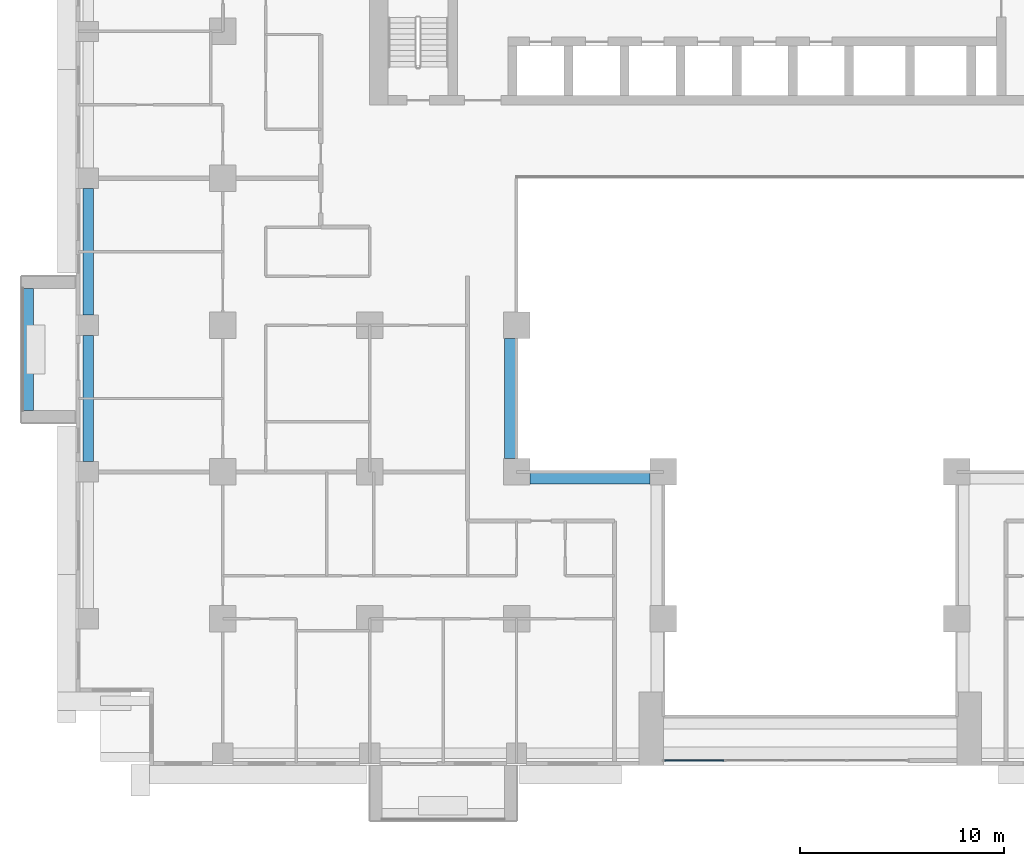
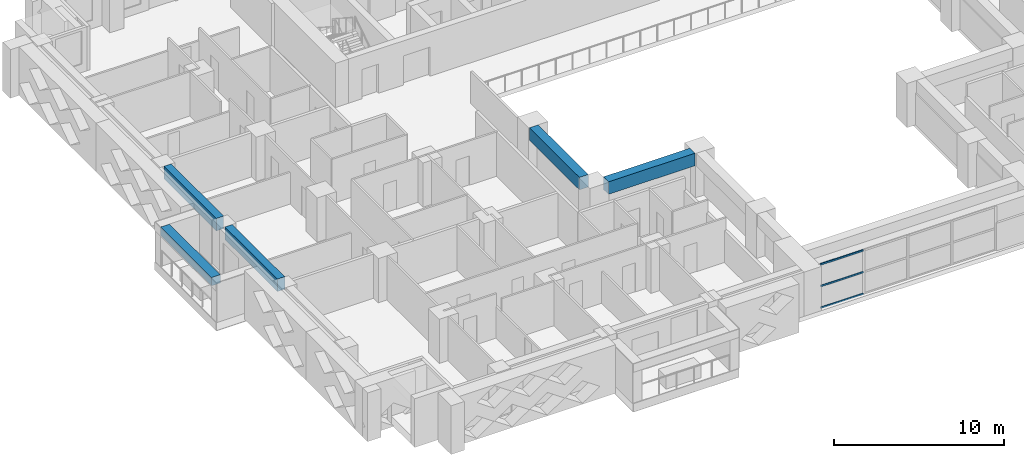
# One storey, part 3 of 16: 5 beams, 3 members, 1 element without a shape of its own.
"""IFC4 building model written with IfcOpenShell, lengths in metres."""

from ifc_helpers import new_model, si_unit, direction, frame, origin, origin_2d, place, context, subcontext, project, spatial, rectangle, extrude, source, transform, mapped, material, layer, layer_set, material_profile, profile_set, type_object, element, aggregate, save


model = new_model("IFC4")

# Units and contexts
model_context = context("Model", 3, precision=1e-05, world=origin(), true_north=direction((0.0, 1.0)))
body_context = subcontext(model_context, "Body", "Model", "MODEL_VIEW")
ifc_project = project(units=[si_unit("LENGTHUNIT", "METRE"), si_unit("AREAUNIT", "SQUARE_METRE"), si_unit("VOLUMEUNIT", "CUBIC_METRE"), si_unit("PLANEANGLEUNIT", "RADIAN"), si_unit("MASSUNIT", "GRAM", prefix="KILO")], contexts=[model_context])

# Site, building, storey
site_placement = place(None, origin())
site = spatial("IfcSite", under=ifc_project, at=site_placement, CompositionType="ELEMENT")
building_placement = place(site_placement, origin())
building = spatial("IfcBuilding", under=site, at=building_placement, Name="Saffron Iwan Residences", CompositionType="ELEMENT")
storey_placement = place(building_placement, frame((0.0, 0.0, 83.0)))
storey = spatial("IfcBuildingStorey", under=building, at=storey_placement, Name="L21", CompositionType="ELEMENT", Elevation=83.0)

# Beams
ifc_material_1 = material(Name="Concrete C60/75", Category="concrete")
ifc_material_profile_1 = material_profile(ifc_material_1, rectangle(XDim=0.5, YDim=0.89990234375, at=origin_2d()), Name="RC 500x900")
ifc_profile_set_1 = profile_set([ifc_material_profile_1], Name="Concrete C60/75")
beam_type_1 = type_object("IfcBeamType", Name="SPANDREL BEAM RC 500x900 C60/75 TOP 3180", PredefinedType="SPANDREL", material=ifc_profile_set_1)
shared_shape_1 = source(origin(), body_context, "Body", "SweptSolid", [
    extrude(rectangle(XDim=0.5, YDim=0.89990234375, at=origin_2d()), origin(), (0.0, 0.0, 1.0), 6.199951171875),
])
for number, where, z_axis, x_axis, name in (
    (1, (15.0, 48.5, 2.72998046875), (0.0, 1.0, 0.0), (-1.0, 0.0, 0.0), "Spandrel beam"),
    (2, (15.0, 55.699951171875, 2.72998046875), (0.0, 1.0, 0.0), (-1.0, 0.0, 0.0), "Spandrel beam"),
):
    element("IfcBeam", number, at=place(storey_placement, frame(where, z_axis=z_axis, x_axis=x_axis)), inside=storey, type_object=beam_type_1, Name=name, PredefinedType="SPANDREL", context=body_context, shape_type="MappedRepresentation", body=[
        mapped(shared_shape_1, transform((0.0, 0.0, 0.0))),
    ])
ifc_material_profile_2 = material_profile(ifc_material_1, rectangle(XDim=0.60009765625, YDim=0.89990234375, at=origin_2d()), Name="RC 600x900")
ifc_profile_set_2 = profile_set([ifc_material_profile_2], Name="Concrete C60/75")
beam_type_2 = type_object("IfcBeamType", Name="BEAM RC 600x900 C60/75 TOP 3180", PredefinedType="BEAM", material=ifc_profile_set_2)
shared_shape_2 = source(origin(), body_context, "Body", "SweptSolid", [
    extrude(rectangle(XDim=0.60009765625, YDim=0.89990234375, at=origin_2d()), origin(), (0.0, 0.0, 1.0), 5.900146484375),
])
for number, where, z_axis, x_axis, name in (
    (3, (42.550048828125, 47.699951171875, 2.72998046875), (-1.0, 0.0, 0.0), (0.0, -1.0, 0.0), "Atrium edge beam"),
    (4, (35.699951171875, 48.64990234375, 2.72998046875), (0.0, 1.0, 0.0), (-1.0, 0.0, 0.0), "Atrium edge beam"),
):
    element("IfcBeam", number, at=place(storey_placement, frame(where, z_axis=z_axis, x_axis=x_axis)), inside=storey, type_object=beam_type_2, Name=name, PredefinedType="BEAM", context=body_context, shape_type="MappedRepresentation", body=[
        mapped(shared_shape_2, transform((0.0, 0.0, 0.0))),
    ])

# Curtain wall, members
ifc_material_2 = material(Name="Clear glass, laminated double glazed", Category="glass")
ifc_layer = layer(ifc_material_2, 0.199951171875)
ifc_layer_set = layer_set([ifc_layer], Name="Clear glass, laminated double glazed")
curtain_wall_type = type_object("IfcCurtainWallType", Name="CW-B IWAN PORTAL", PredefinedType="NOTDEFINED", material=ifc_layer_set)
curtain_wall_placement = place(storey_placement, origin())
curtain_wall = element("IfcCurtainWall", 5, at=curtain_wall_placement, inside=storey, type_object=curtain_wall_type, Name="Iwan portal glazing L21.1", PredefinedType="NOTDEFINED")
ifc_material_3 = material(Name="Aluminium 6063-T6", Category="aluminium")
ifc_material_profile_3 = material_profile(ifc_material_3, rectangle(XDim=0.06005859375, YDim=0.1201171875, at=origin_2d()), Name="CW-B TRANSOM 60 x 120")
ifc_profile_set_3 = profile_set([ifc_material_profile_3], Name="Aluminium 6063-T6")
member_type = type_object("IfcMemberType", Name="CW-B TRANSOM 60 x 120", PredefinedType="USERDEFINED", material=ifc_profile_set_3)
shared_shape_3 = source(origin(), body_context, "Body", "SweptSolid", [
    extrude(rectangle(XDim=0.06005859375, YDim=0.1201171875, at=origin_2d()), origin(), (0.0, 0.0, 1.0), 2.909912109375),
])
member_1_placement = place(storey_placement, frame((43.260009765625, 33.85009765625, 0.030029296875), z_axis=(1.0, 0.0, 0.0), x_axis=(0.0, 1.0, 0.0)))
member_1 = element("IfcMember", 6, at=member_1_placement, type_object=member_type, Name="CW-B transom 1.1", ObjectType="TRANSOM", PredefinedType="USERDEFINED", context=body_context, shape_type="MappedRepresentation", body=[
    mapped(shared_shape_3, transform((0.0, 0.0, 0.0))),
])
member_2_placement = place(storey_placement, frame((43.260009765625, 33.85009765625, 1.590087890625), z_axis=(1.0, 0.0, 0.0), x_axis=(0.0, 1.0, 0.0)))
member_2 = element("IfcMember", 7, at=member_2_placement, type_object=member_type, Name="CW-B transom 1.2", ObjectType="TRANSOM", PredefinedType="USERDEFINED", context=body_context, shape_type="MappedRepresentation", body=[
    mapped(shared_shape_3, transform((0.0, 0.0, 0.0))),
])
member_3_placement = place(storey_placement, frame((43.260009765625, 33.85009765625, 3.14990234375), z_axis=(1.0, 0.0, 0.0), x_axis=(0.0, 1.0, 0.0)))
member_3 = element("IfcMember", 8, at=member_3_placement, type_object=member_type, Name="CW-B transom 1.3", ObjectType="TRANSOM", PredefinedType="USERDEFINED", context=body_context, shape_type="MappedRepresentation", body=[
    mapped(shared_shape_3, transform((0.0, 0.0, 0.0))),
])
aggregate(curtain_wall, [member_1, member_2, member_3])

# Beam
ifc_material_4 = material(Name="Concrete C50/60 white painted", Category="concrete")
ifc_material_profile_4 = material_profile(ifc_material_4, rectangle(XDim=0.60009765625, YDim=0.60009765625, at=origin_2d()), Name="BALCONY FASCIA BEAM 600 x 600")
ifc_profile_set_4 = profile_set([ifc_material_profile_4], Name="Concrete C50/60 white painted")
beam_type_3 = type_object("IfcBeamType", Name="BALCONY FASCIA BEAM 600 x 600", PredefinedType="BEAM", material=ifc_profile_set_4)
shared_shape_4 = source(origin(), body_context, "Body", "SweptSolid", [
    extrude(rectangle(XDim=0.60009765625, YDim=0.60009765625, at=origin_2d()), origin(), (0.0, 0.0, 1.0), 6.0),
])
beam_placement = place(storey_placement, frame((12.0, 57.0, 2.550048828125), z_axis=(0.0, -1.0, 0.0), x_axis=(1.0, 0.0, 0.0)))
element("IfcBeam", 9, at=beam_placement, inside=storey, type_object=beam_type_3, Name="Balcony fascia beam L21 F8-1", PredefinedType="BEAM", context=body_context, shape_type="MappedRepresentation", body=[
    mapped(shared_shape_4, transform((0.0, 0.0, 0.0))),
])

save(model, "model.ifc")
